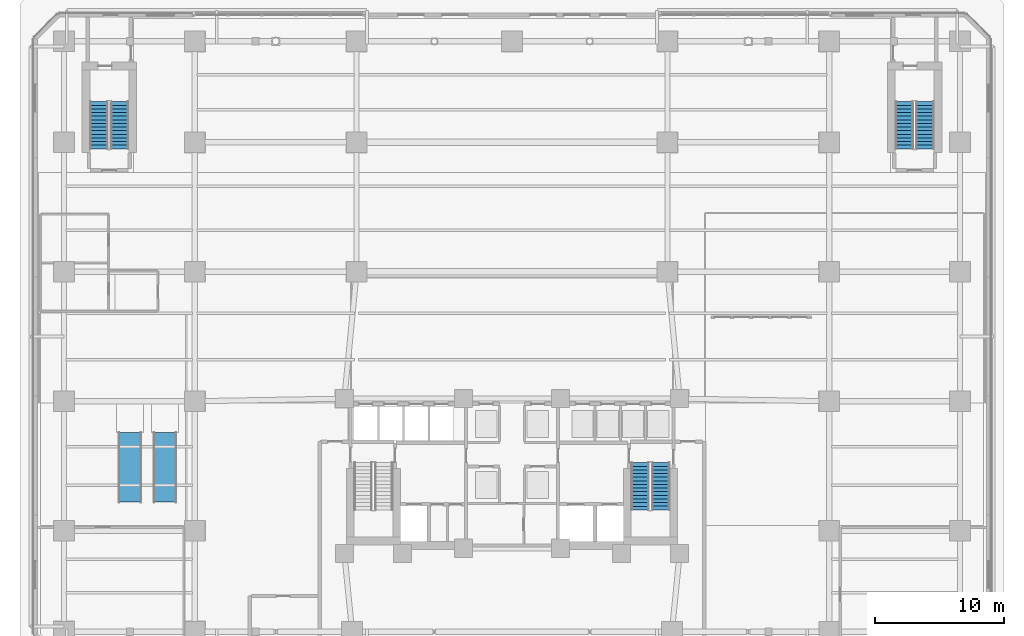
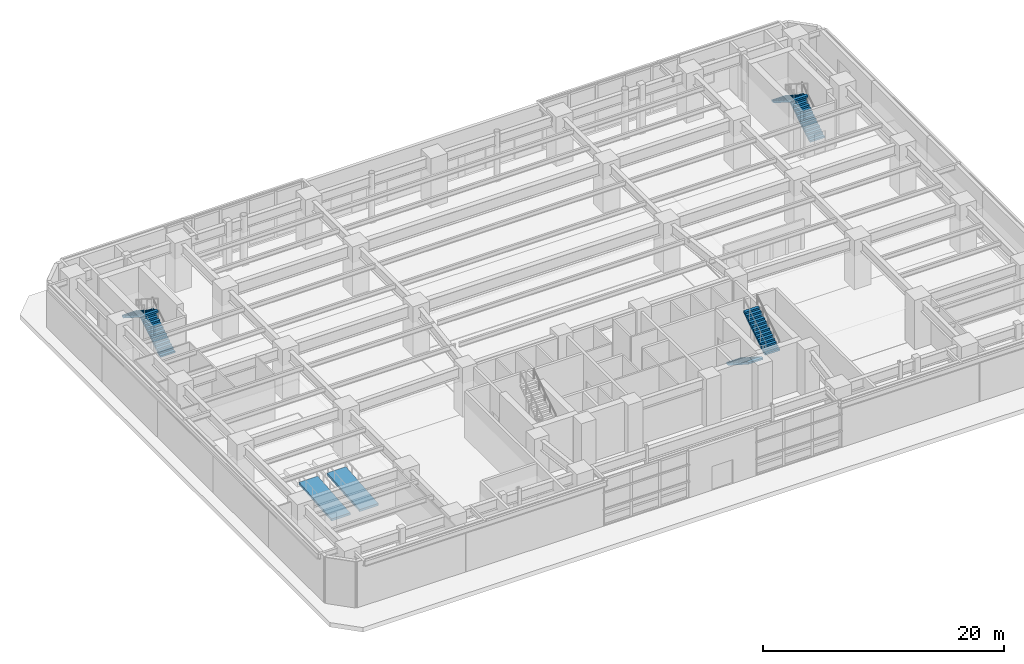
# One storey, part 17 of 26: 6 stair flights, 2 ramp flights, 5 elements without a shape of their own.
"""IFC4 building model written with IfcOpenShell, lengths in metres."""

from ifc_helpers import new_model, si_unit, direction, frame, origin, place, context, subcontext, project, spatial, polyline, outline, extrude, material, layer, layer_set, type_object, element, aggregate, save


model = new_model("IFC4")

# Units and contexts
model_context = context("Model", 3, precision=1e-05, world=origin(), true_north=direction((0.0, 1.0)))
body_context = subcontext(model_context, "Body", "Model", "MODEL_VIEW")
ifc_project = project(units=[si_unit("LENGTHUNIT", "METRE"), si_unit("AREAUNIT", "SQUARE_METRE"), si_unit("VOLUMEUNIT", "CUBIC_METRE"), si_unit("PLANEANGLEUNIT", "RADIAN"), si_unit("MASSUNIT", "GRAM", prefix="KILO")], contexts=[model_context])

# Site, building, storey
site_placement = place(None, origin())
site = spatial("IfcSite", under=ifc_project, at=site_placement, CompositionType="ELEMENT")
building_placement = place(site_placement, origin())
building = spatial("IfcBuilding", under=site, at=building_placement, Name="Quenlor Broadcast Tower", CompositionType="ELEMENT")
storey_placement = place(building_placement, origin())
storey = spatial("IfcBuildingStorey", under=building, at=storey_placement, Name="L00", CompositionType="ELEMENT", Elevation=0.0)

# Stair, stair flights
ifc_material_1 = material(Name="Precast concrete C40/50", Category="concrete")
stair_type = type_object("IfcStairType", Name="Precast Concrete C40/50 Dogleg Stair H500", PredefinedType="HALF_TURN_STAIR", material=ifc_material_1)
stair_1_placement = place(storey_placement, origin())
stair_1 = element("IfcStair", 1, at=stair_1_placement, inside=storey, type_object=stair_type, Name="L00 East Core Fire-Isolated Exit Stair ST-2", PredefinedType="HALF_TURN_STAIR")
ifc_material_2 = material(Name="Precast concrete C40/50", Category="concrete")
ifc_layer_1 = layer(ifc_material_2, 0.18505859375)
ifc_layer_set_1 = layer_set([ifc_layer_1], Name="Precast Concrete C40/50 Stair Flight H500")
stair_flight_type = type_object("IfcStairFlightType", Name="Precast Concrete C40/50 Stair Flight H500", PredefinedType="STRAIGHT", material=ifc_layer_set_1)
stair_flight_1_placement = place(storey_placement, frame((9.89990234375, -9.75, 0.0), z_axis=(0.0, 0.0, 1.0), x_axis=(0.0, -1.0, 0.0)))
stair_flight_1 = element("IfcStairFlight", 2, at=stair_flight_1_placement, type_object=stair_flight_type, Name="ST-2 flight 1", NumberOfRisers=14, NumberOfTreads=13, PredefinedType="STRAIGHT", RiserHeight=0.178571429, TreadLength=0.28, context=body_context, shape_type="SweptSolid", body=[
    extrude(outline(polyline([(0.0, 0.0), (0.0, 0.178466796875), (0.280029296875, 0.178466796875), (0.280029296875, 0.357177734375), (0.56005859375, 0.357177734375), (0.56005859375, 0.53564453125), (0.840087890625, 0.53564453125), (0.840087890625, 0.71435546875), (1.1201171875, 0.71435546875), (1.1201171875, 0.892822265625), (1.39990234375, 0.892822265625), (1.39990234375, 1.071533203125), (1.679931640625, 1.071533203125), (1.679931640625, 1.25), (1.9599609375, 1.25), (1.9599609375, 1.428466796875), (2.239990234375, 1.428466796875), (2.239990234375, 1.607177734375), (2.52001953125, 1.607177734375), (2.52001953125, 1.78564453125), (2.800048828125, 1.78564453125), (2.800048828125, 1.96435546875), (3.080078125, 1.96435546875), (3.080078125, 2.142822265625), (3.360107421875, 2.142822265625), (3.360107421875, 2.321533203125), (3.639892578125, 2.321533203125), (3.639892578125, 2.5), (3.639892578125, 2.1435546875), (0.27880859375, 0.0), (0.0, 0.0)])), frame((0.0, 0.699951171875, 0.0), z_axis=(0.0, -1.0, 0.0), x_axis=(1.0, 0.0, 0.0)), (0.0, 0.0, 1.0), 1.39990234375),
])
stair_flight_2_placement = place(storey_placement, frame((11.5, -13.389892578125, 2.5), z_axis=(0.0, 0.0, 1.0), x_axis=(0.0, 1.0, 0.0)))
stair_flight_2 = element("IfcStairFlight", 3, at=stair_flight_2_placement, type_object=stair_flight_type, Name="ST-2 flight 2", NumberOfRisers=14, NumberOfTreads=13, PredefinedType="STRAIGHT", RiserHeight=0.178571429, TreadLength=0.28, context=body_context, shape_type="SweptSolid", body=[
    extrude(outline(polyline([(0.0, 0.0), (0.0, 0.178466796875), (0.280029296875, 0.178466796875), (0.280029296875, 0.357177734375), (0.56005859375, 0.357177734375), (0.56005859375, 0.53564453125), (0.840087890625, 0.53564453125), (0.840087890625, 0.71435546875), (1.1201171875, 0.71435546875), (1.1201171875, 0.892822265625), (1.39990234375, 0.892822265625), (1.39990234375, 1.071533203125), (1.679931640625, 1.071533203125), (1.679931640625, 1.25), (1.9599609375, 1.25), (1.9599609375, 1.428466796875), (2.239990234375, 1.428466796875), (2.239990234375, 1.607177734375), (2.52001953125, 1.607177734375), (2.52001953125, 1.78564453125), (2.800048828125, 1.78564453125), (2.800048828125, 1.96435546875), (3.080078125, 1.96435546875), (3.080078125, 2.142822265625), (3.360107421875, 2.142822265625), (3.360107421875, 2.321533203125), (3.639892578125, 2.321533203125), (3.639892578125, 2.5), (3.639892578125, 2.1435546875), (0.27880859375, 0.0), (0.0, 0.0)])), frame((0.0, 0.699951171875, 0.0), z_axis=(0.0, -1.0, 0.0), x_axis=(1.0, 0.0, 0.0)), (0.0, 0.0, 1.0), 1.39990234375),
])
aggregate(stair_1, [stair_flight_1, stair_flight_2])

stair_2_placement = place(storey_placement, origin())
stair_2 = element("IfcStair", 4, at=stair_2_placement, inside=storey, type_object=stair_type, Name="L00 Station Podium North-West Exit Stair ST-3", PredefinedType="HALF_TURN_STAIR")
stair_flight_3_placement = place(storey_placement, frame((-30.300048828125, 14.5, 0.0), z_axis=(0.0, 0.0, 1.0), x_axis=(0.0, 1.0, 0.0)))
stair_flight_3 = element("IfcStairFlight", 5, at=stair_flight_3_placement, type_object=stair_flight_type, Name="ST-3 flight 1", NumberOfRisers=14, NumberOfTreads=13, PredefinedType="STRAIGHT", RiserHeight=0.178571429, TreadLength=0.28, context=body_context, shape_type="SweptSolid", body=[
    extrude(outline(polyline([(0.0, 0.0), (0.0, 0.178466796875), (0.280029296875, 0.178466796875), (0.280029296875, 0.357177734375), (0.56005859375, 0.357177734375), (0.56005859375, 0.53564453125), (0.840087890625, 0.53564453125), (0.840087890625, 0.71435546875), (1.1201171875, 0.71435546875), (1.1201171875, 0.892822265625), (1.39990234375, 0.892822265625), (1.39990234375, 1.071533203125), (1.679931640625, 1.071533203125), (1.679931640625, 1.25), (1.9599609375, 1.25), (1.9599609375, 1.428466796875), (2.239990234375, 1.428466796875), (2.239990234375, 1.607177734375), (2.52001953125, 1.607177734375), (2.52001953125, 1.78564453125), (2.800048828125, 1.78564453125), (2.800048828125, 1.96435546875), (3.080078125, 1.96435546875), (3.080078125, 2.142822265625), (3.360107421875, 2.142822265625), (3.360107421875, 2.321533203125), (3.639892578125, 2.321533203125), (3.639892578125, 2.5), (3.639892578125, 2.1435546875), (0.27880859375, 0.0), (0.0, 0.0)])), frame((0.0, 0.699951171875, 0.0), z_axis=(0.0, -1.0, 0.0), x_axis=(1.0, 0.0, 0.0)), (0.0, 0.0, 1.0), 1.39990234375),
])
stair_flight_4_placement = place(storey_placement, frame((-31.89990234375, 18.139892578125, 2.5), z_axis=(0.0, 0.0, 1.0), x_axis=(0.0, -1.0, 0.0)))
stair_flight_4 = element("IfcStairFlight", 6, at=stair_flight_4_placement, type_object=stair_flight_type, Name="ST-3 flight 2", NumberOfRisers=14, NumberOfTreads=13, PredefinedType="STRAIGHT", RiserHeight=0.178571429, TreadLength=0.28, context=body_context, shape_type="SweptSolid", body=[
    extrude(outline(polyline([(0.0, 0.0), (0.0, 0.178466796875), (0.280029296875, 0.178466796875), (0.280029296875, 0.357177734375), (0.56005859375, 0.357177734375), (0.56005859375, 0.53564453125), (0.840087890625, 0.53564453125), (0.840087890625, 0.71435546875), (1.1201171875, 0.71435546875), (1.1201171875, 0.892822265625), (1.39990234375, 0.892822265625), (1.39990234375, 1.071533203125), (1.679931640625, 1.071533203125), (1.679931640625, 1.25), (1.9599609375, 1.25), (1.9599609375, 1.428466796875), (2.239990234375, 1.428466796875), (2.239990234375, 1.607177734375), (2.52001953125, 1.607177734375), (2.52001953125, 1.78564453125), (2.800048828125, 1.78564453125), (2.800048828125, 1.96435546875), (3.080078125, 1.96435546875), (3.080078125, 2.142822265625), (3.360107421875, 2.142822265625), (3.360107421875, 2.321533203125), (3.639892578125, 2.321533203125), (3.639892578125, 2.5), (3.639892578125, 2.1435546875), (0.27880859375, 0.0), (0.0, 0.0)])), frame((0.0, 0.699951171875, 0.0), z_axis=(0.0, -1.0, 0.0), x_axis=(1.0, 0.0, 0.0)), (0.0, 0.0, 1.0), 1.39990234375),
])
aggregate(stair_2, [stair_flight_3, stair_flight_4])

stair_3_placement = place(storey_placement, origin())
stair_3 = element("IfcStair", 7, at=stair_3_placement, inside=storey, type_object=stair_type, Name="L00 Station Podium North-East Exit Stair ST-4", PredefinedType="HALF_TURN_STAIR")
stair_flight_5_placement = place(storey_placement, frame((31.89990234375, 14.5, 0.0), z_axis=(0.0, 0.0, 1.0), x_axis=(0.0, 1.0, 0.0)))
stair_flight_5 = element("IfcStairFlight", 8, at=stair_flight_5_placement, type_object=stair_flight_type, Name="ST-4 flight 1", NumberOfRisers=14, NumberOfTreads=13, PredefinedType="STRAIGHT", RiserHeight=0.178571429, TreadLength=0.28, context=body_context, shape_type="SweptSolid", body=[
    extrude(outline(polyline([(0.0, 0.0), (0.0, 0.178466796875), (0.280029296875, 0.178466796875), (0.280029296875, 0.357177734375), (0.56005859375, 0.357177734375), (0.56005859375, 0.53564453125), (0.840087890625, 0.53564453125), (0.840087890625, 0.71435546875), (1.1201171875, 0.71435546875), (1.1201171875, 0.892822265625), (1.39990234375, 0.892822265625), (1.39990234375, 1.071533203125), (1.679931640625, 1.071533203125), (1.679931640625, 1.25), (1.9599609375, 1.25), (1.9599609375, 1.428466796875), (2.239990234375, 1.428466796875), (2.239990234375, 1.607177734375), (2.52001953125, 1.607177734375), (2.52001953125, 1.78564453125), (2.800048828125, 1.78564453125), (2.800048828125, 1.96435546875), (3.080078125, 1.96435546875), (3.080078125, 2.142822265625), (3.360107421875, 2.142822265625), (3.360107421875, 2.321533203125), (3.639892578125, 2.321533203125), (3.639892578125, 2.5), (3.639892578125, 2.1435546875), (0.27880859375, 0.0), (0.0, 0.0)])), frame((0.0, 0.699951171875, 0.0), z_axis=(0.0, -1.0, 0.0), x_axis=(1.0, 0.0, 0.0)), (0.0, 0.0, 1.0), 1.39990234375),
])
stair_flight_6_placement = place(storey_placement, frame((30.300048828125, 18.139892578125, 2.5), z_axis=(0.0, 0.0, 1.0), x_axis=(0.0, -1.0, 0.0)))
stair_flight_6 = element("IfcStairFlight", 9, at=stair_flight_6_placement, type_object=stair_flight_type, Name="ST-4 flight 2", NumberOfRisers=14, NumberOfTreads=13, PredefinedType="STRAIGHT", RiserHeight=0.178571429, TreadLength=0.28, context=body_context, shape_type="SweptSolid", body=[
    extrude(outline(polyline([(0.0, 0.0), (0.0, 0.178466796875), (0.280029296875, 0.178466796875), (0.280029296875, 0.357177734375), (0.56005859375, 0.357177734375), (0.56005859375, 0.53564453125), (0.840087890625, 0.53564453125), (0.840087890625, 0.71435546875), (1.1201171875, 0.71435546875), (1.1201171875, 0.892822265625), (1.39990234375, 0.892822265625), (1.39990234375, 1.071533203125), (1.679931640625, 1.071533203125), (1.679931640625, 1.25), (1.9599609375, 1.25), (1.9599609375, 1.428466796875), (2.239990234375, 1.428466796875), (2.239990234375, 1.607177734375), (2.52001953125, 1.607177734375), (2.52001953125, 1.78564453125), (2.800048828125, 1.78564453125), (2.800048828125, 1.96435546875), (3.080078125, 1.96435546875), (3.080078125, 2.142822265625), (3.360107421875, 2.142822265625), (3.360107421875, 2.321533203125), (3.639892578125, 2.321533203125), (3.639892578125, 2.5), (3.639892578125, 2.1435546875), (0.27880859375, 0.0), (0.0, 0.0)])), frame((0.0, 0.699951171875, 0.0), z_axis=(0.0, -1.0, 0.0), x_axis=(1.0, 0.0, 0.0)), (0.0, 0.0, 1.0), 1.39990234375),
])
aggregate(stair_3, [stair_flight_5, stair_flight_6])

# Ramp, ramp flight
ifc_material_3 = material(Name="Concrete C40/50", Category="concrete")
ramp_type = type_object("IfcRampType", Name="Accessible Concourse Concrete C40/50 Ramp 1800", PredefinedType="STRAIGHT_RUN_RAMP", material=ifc_material_3)
ramp_1_placement = place(storey_placement, origin())
ramp_1 = element("IfcRamp", 10, at=ramp_1_placement, inside=storey, type_object=ramp_type, Name="L00 Accessible Concourse Pedestrian Ramp 1", PredefinedType="STRAIGHT_RUN_RAMP")
ifc_material_4 = material(Name="Concrete C40/50", Category="concrete")
ifc_layer_2 = layer(ifc_material_4, 0.219970703125)
ifc_layer_set_2 = layer_set([ifc_layer_2], Name="Accessible Concrete C40/50 Ramp Flight 1800")
ramp_flight_type = type_object("IfcRampFlightType", Name="Accessible Concrete C40/50 Ramp Flight 1800", PredefinedType="STRAIGHT", material=ifc_layer_set_2)
ramp_flight_1_placement = place(storey_placement, frame((-29.5, -12.800048828125, 0.0), z_axis=(0.0, 0.0, 1.0), x_axis=(0.0, 1.0, 0.0)))
ramp_flight_1 = element("IfcRampFlight", 11, at=ramp_flight_1_placement, type_object=ramp_flight_type, Name="L00 Accessible Pedestrian Ramp Flight 1", PredefinedType="STRAIGHT", context=body_context, shape_type="SweptSolid", body=[
    extrude(outline(polyline([(0.0, 0.0), (5.39990234375, 0.449951171875), (5.39990234375, 0.229248046875), (0.0, -0.220703125), (0.0, 0.0)])), frame((0.0, 0.89990234375, 0.0), z_axis=(0.0, -1.0, 0.0), x_axis=(1.0, 0.0, 0.0)), (0.0, 0.0, 1.0), 1.800048828125),
])
aggregate(ramp_1, [ramp_flight_1])

ramp_2_placement = place(storey_placement, origin())
ramp_2 = element("IfcRamp", 12, at=ramp_2_placement, inside=storey, type_object=ramp_type, Name="L00 Accessible Concourse Pedestrian Ramp 2", PredefinedType="STRAIGHT_RUN_RAMP")
ramp_flight_2_placement = place(storey_placement, frame((-26.800048828125, -12.800048828125, 0.0), z_axis=(0.0, 0.0, 1.0), x_axis=(0.0, 1.0, 0.0)))
ramp_flight_2 = element("IfcRampFlight", 13, at=ramp_flight_2_placement, type_object=ramp_flight_type, Name="L00 Accessible Pedestrian Ramp Flight 2", PredefinedType="STRAIGHT", context=body_context, shape_type="SweptSolid", body=[
    extrude(outline(polyline([(0.0, 0.0), (5.39990234375, 0.449951171875), (5.39990234375, 0.229248046875), (0.0, -0.220703125), (0.0, 0.0)])), frame((0.0, 0.89990234375, 0.0), z_axis=(0.0, -1.0, 0.0), x_axis=(1.0, 0.0, 0.0)), (0.0, 0.0, 1.0), 1.800048828125),
])
aggregate(ramp_2, [ramp_flight_2])

save(model, "model.ifc")
